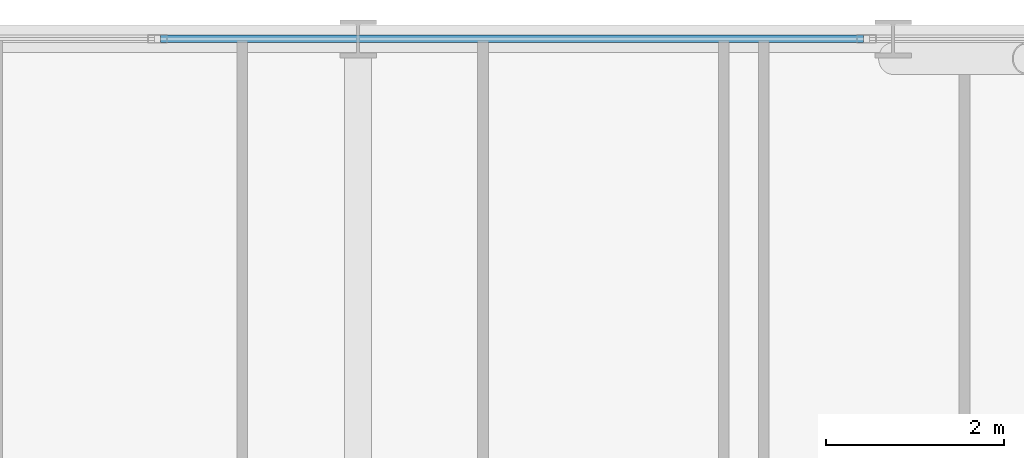
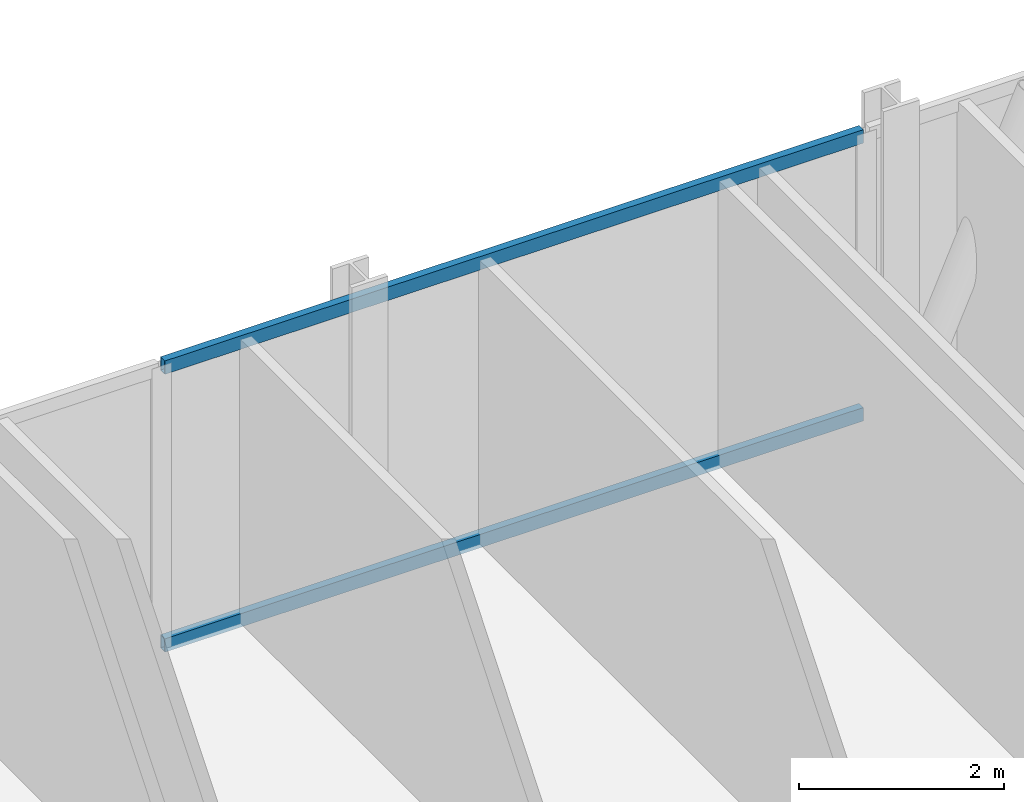
# One storey, part 14 of 33: 2 members, 1 element without a shape of its own.
"""IFC4 building model written with IfcOpenShell, lengths in metres."""

from ifc_helpers import new_model, si_unit, direction, frame, origin, origin_2d, place, context, subcontext, project, spatial, hollow_rectangle, extrude, material, layer, layer_set, material_profile, profile_set, type_object, element, aggregate, save


model = new_model("IFC4")

# Units and contexts
model_context = context("Model", 3, precision=1e-05, world=origin(), true_north=direction((0.0, 1.0)))
body_context = subcontext(model_context, "Body", "Model", "MODEL_VIEW")
ifc_project = project(units=[si_unit("LENGTHUNIT", "METRE"), si_unit("AREAUNIT", "SQUARE_METRE"), si_unit("VOLUMEUNIT", "CUBIC_METRE"), si_unit("PLANEANGLEUNIT", "RADIAN"), si_unit("MASSUNIT", "GRAM", prefix="KILO")], contexts=[model_context])

# Site, building, storey
site_placement = place(None, origin())
site = spatial("IfcSite", under=ifc_project, at=site_placement, CompositionType="ELEMENT")
building_placement = place(site_placement, origin())
building = spatial("IfcBuilding", under=site, at=building_placement, Name="Keshet Zoharim Tower", CompositionType="ELEMENT")
storey_placement = place(building_placement, frame((0.0, 0.0, 27.699951171875)))
storey = spatial("IfcBuildingStorey", under=building, at=storey_placement, Name="L05", CompositionType="ELEMENT", Elevation=27.699951171875)

# Curtain wall, members
ifc_material = material(Name="Aluminium 6063-T6", Category="aluminium")
ifc_layer = layer(ifc_material, 0.169921875)
ifc_layer_set = layer_set([ifc_layer], Name="Aluminium 6063-T6")
curtain_wall_type = type_object("IfcCurtainWallType", Name="CW-SYS-02", PredefinedType="NOTDEFINED", material=ifc_layer_set)
curtain_wall_placement = place(storey_placement, origin())
curtain_wall = element("IfcCurtainWall", 1, at=curtain_wall_placement, inside=storey, type_object=curtain_wall_type, Name="L05 Unitised Curtain Wall 07 Part 3", PredefinedType="NOTDEFINED")
ifc_material_profile = material_profile(ifc_material, hollow_rectangle(XDim=0.0849609375, YDim=0.159912109375, WallThickness=0.00439453125, at=origin_2d()), Name="TRN-85x160")
ifc_profile_set = profile_set([ifc_material_profile], Name="Aluminium 6063-T6")
member_type = type_object("IfcMemberType", Name="CWT-T16", PredefinedType="USERDEFINED", material=ifc_profile_set)
member_1_placement = place(storey_placement, frame((30.784912109375, 53.89990234375, 0.03515625), z_axis=(1.0, 0.0, 0.0), x_axis=(0.0, 1.0, 0.0)))
member_1 = element("IfcMember", 2, at=member_1_placement, type_object=member_type, Name="CW-02 transom 2.1", ObjectType="TRANSOM", PredefinedType="USERDEFINED", context=body_context, shape_type="SweptSolid", body=[
    extrude(hollow_rectangle(XDim=0.0849609375, YDim=0.159912109375, WallThickness=0.00439453125, at=origin_2d()), origin(), (0.0, 0.0, 1.0), 7.882568359375),
])
member_2_placement = place(storey_placement, frame((30.784912109375, 53.89990234375, 3.35009765625), z_axis=(1.0, 0.0, 0.0), x_axis=(0.0, 1.0, 0.0)))
member_2 = element("IfcMember", 3, at=member_2_placement, type_object=member_type, Name="CW-02 transom 2.2", ObjectType="TRANSOM", PredefinedType="USERDEFINED", context=body_context, shape_type="SweptSolid", body=[
    extrude(hollow_rectangle(XDim=0.0849609375, YDim=0.159912109375, WallThickness=0.00439453125, at=origin_2d()), origin(), (0.0, 0.0, 1.0), 7.882568359375),
])
aggregate(curtain_wall, [member_1, member_2])

save(model, "model.ifc")
